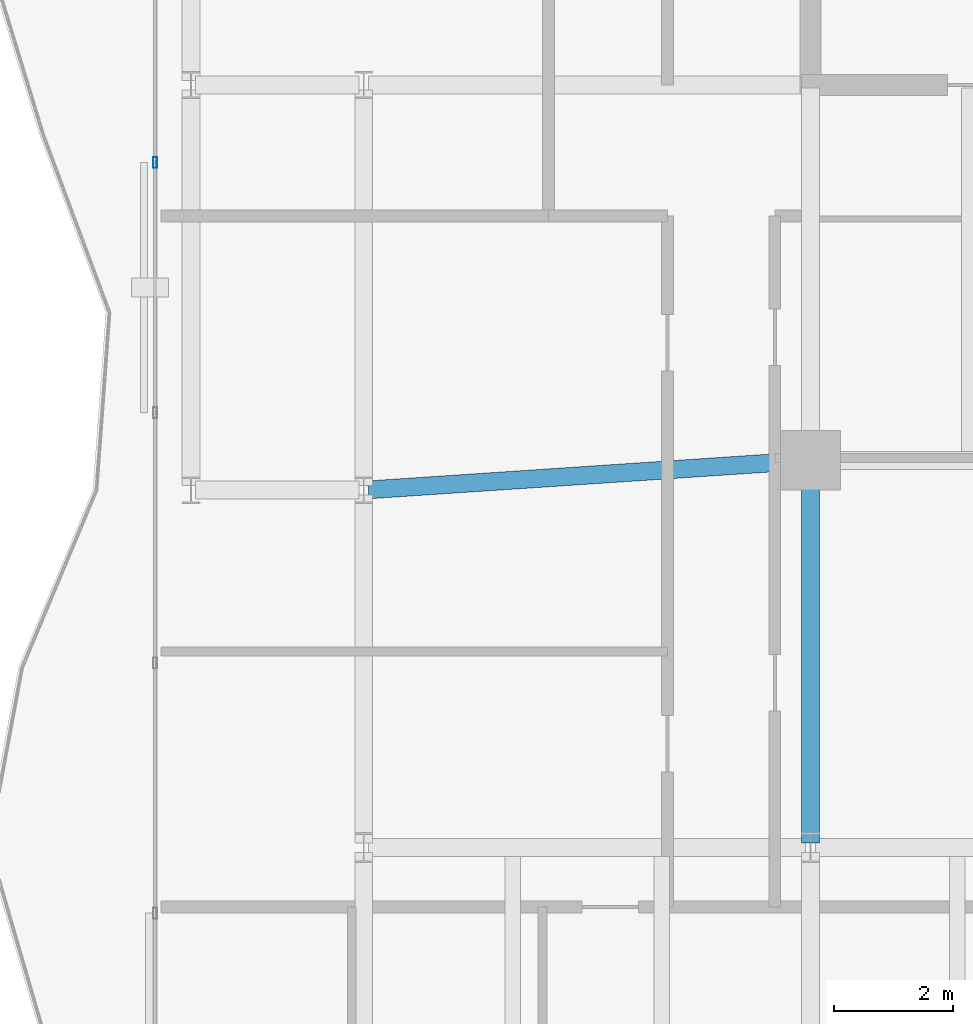
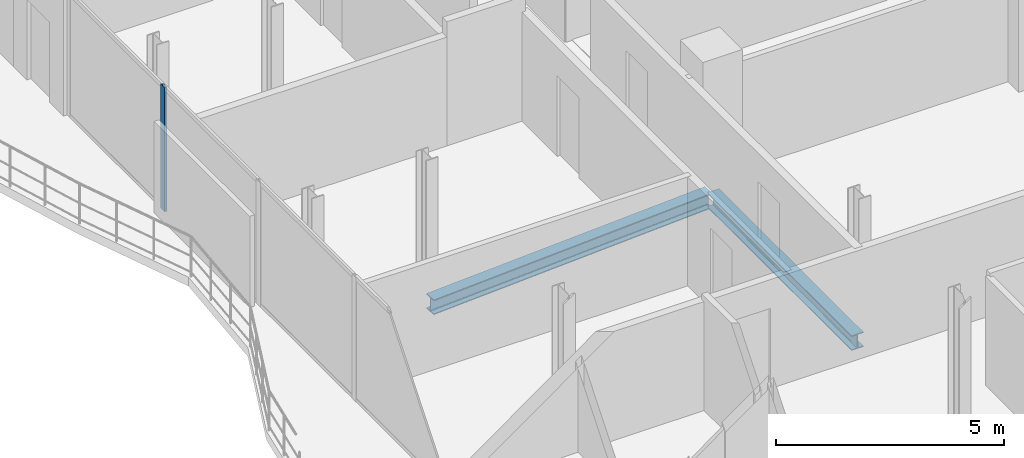
# One storey, part 8 of 23: 2 beams, 1 member, 1 element without a shape of its own.
"""IFC4 building model written with IfcOpenShell, lengths in metres."""

from ifc_helpers import new_model, si_unit, direction, frame, origin, origin_2d, place, context, subcontext, project, spatial, hollow_rectangle, i_section, extrude, material, layer, layer_set, material_profile, profile_set, type_object, element, aggregate, save


model = new_model("IFC4")

# Units and contexts
model_context = context("Model", 3, precision=1e-05, world=origin(), true_north=direction((0.0, 1.0)))
body_context = subcontext(model_context, "Body", "Model", "MODEL_VIEW")
ifc_project = project(units=[si_unit("LENGTHUNIT", "METRE"), si_unit("AREAUNIT", "SQUARE_METRE"), si_unit("VOLUMEUNIT", "CUBIC_METRE"), si_unit("PLANEANGLEUNIT", "RADIAN"), si_unit("MASSUNIT", "GRAM", prefix="KILO")], contexts=[model_context])

# Site, building, storey
site_placement = place(None, origin())
site = spatial("IfcSite", under=ifc_project, at=site_placement, CompositionType="ELEMENT")
building_placement = place(site_placement, origin())
building = spatial("IfcBuilding", under=site, at=building_placement, Name="Catumbela Crestline Tower", CompositionType="ELEMENT")
storey_placement = place(building_placement, frame((0.0, 0.0, 197.4)))
storey = spatial("IfcBuildingStorey", under=building, at=storey_placement, Name="L51", CompositionType="ELEMENT", Elevation=197.4)

# Beams
ifc_material_1 = material(Name="Structural steel S355J2", Category="steel")
ifc_material_profile_1 = material_profile(ifc_material_1, i_section(OverallWidth=0.3, OverallDepth=0.4, WebThickness=0.0135, FlangeThickness=0.024, FilletRadius=0.027, at=origin_2d()), Name="HEB 400")
ifc_profile_set_1 = profile_set([ifc_material_profile_1], Name="Structural steel S355J2")
beam_type = type_object("IfcBeamType", Name="BG-HEB400", PredefinedType="BEAM", material=ifc_profile_set_1)
beam_1_placement = place(storey_placement, frame((8.5798, 24.0053, -0.46), z_axis=(0.997784796964, 0.066524423687, 0.0), x_axis=(-0.066524423687, 0.997784796964, 0.0)))
element("IfcBeam", 1, at=beam_1_placement, inside=storey, type_object=beam_type, Name="L51 Beam BM-L51-S02", PredefinedType="BEAM", context=body_context, shape_type="SweptSolid", body=[
    extrude(i_section(OverallWidth=0.3, OverallDepth=0.4, WebThickness=0.0135, FlangeThickness=0.024, FilletRadius=0.027, at=origin_2d()), origin(), (0.0, 0.0, 1.0), 7.3567),
])
beam_2_placement = place(storey_placement, frame((16.0, 18.08, -0.46), z_axis=(0.0, 1.0, 0.0), x_axis=(-1.0, 0.0, 0.0)))
element("IfcBeam", 2, at=beam_2_placement, inside=storey, type_object=beam_type, Name="L51 Beam BM-L51-WNS42", PredefinedType="BEAM", context=body_context, shape_type="SweptSolid", body=[
    extrude(i_section(OverallWidth=0.3, OverallDepth=0.4, WebThickness=0.0135, FlangeThickness=0.024, FilletRadius=0.027, at=origin_2d()), origin(), (0.0, 0.0, 1.0), 6.34),
])

# Curtain wall, member
ifc_material_2 = material(Name="Aluminium alloy AW-6060-T66", Category="aluminium")
ifc_layer = layer(ifc_material_2, 0.18, Name="Aluminium alloy AW-6060-T66")
ifc_layer_set = layer_set([ifc_layer], Name="Aluminium alloy AW-6060-T66")
curtain_wall_type = type_object("IfcCurtainWallType", Name="CWU-Z3", PredefinedType="USERDEFINED", material=ifc_layer_set)
curtain_wall_placement = place(storey_placement, origin())
curtain_wall = element("IfcCurtainWall", 3, at=curtain_wall_placement, inside=storey, type_object=curtain_wall_type, Name="L51 Unitised Curtain Wall CW-L51-E9S2", ObjectType="UNITISED", PredefinedType="USERDEFINED")
ifc_material_profile_2 = material_profile(ifc_material_2, hollow_rectangle(XDim=0.065, YDim=0.18, WallThickness=0.004, at=origin_2d()), Name="ALU 180x65x4")
ifc_profile_set_2 = profile_set([ifc_material_profile_2], Name="Aluminium alloy AW-6060-T66")
member_type = type_object("IfcMemberType", Name="MUL-180X65", PredefinedType="MULLION", material=ifc_profile_set_2)
member_placement = place(storey_placement, frame((5.0, 29.5, 0.0), z_axis=(0.0, 0.0, 1.0), x_axis=(1.0, 0.0, 0.0)))
member = element("IfcMember", 4, at=member_placement, type_object=member_type, Name="CWU-Z3 mullion 2", PredefinedType="MULLION", context=body_context, shape_type="SweptSolid", body=[
    extrude(hollow_rectangle(XDim=0.065, YDim=0.18, WallThickness=0.004, at=origin_2d()), origin(), (0.0, 0.0, 1.0), 3.33),
])
aggregate(curtain_wall, [member])

save(model, "model.ifc")
